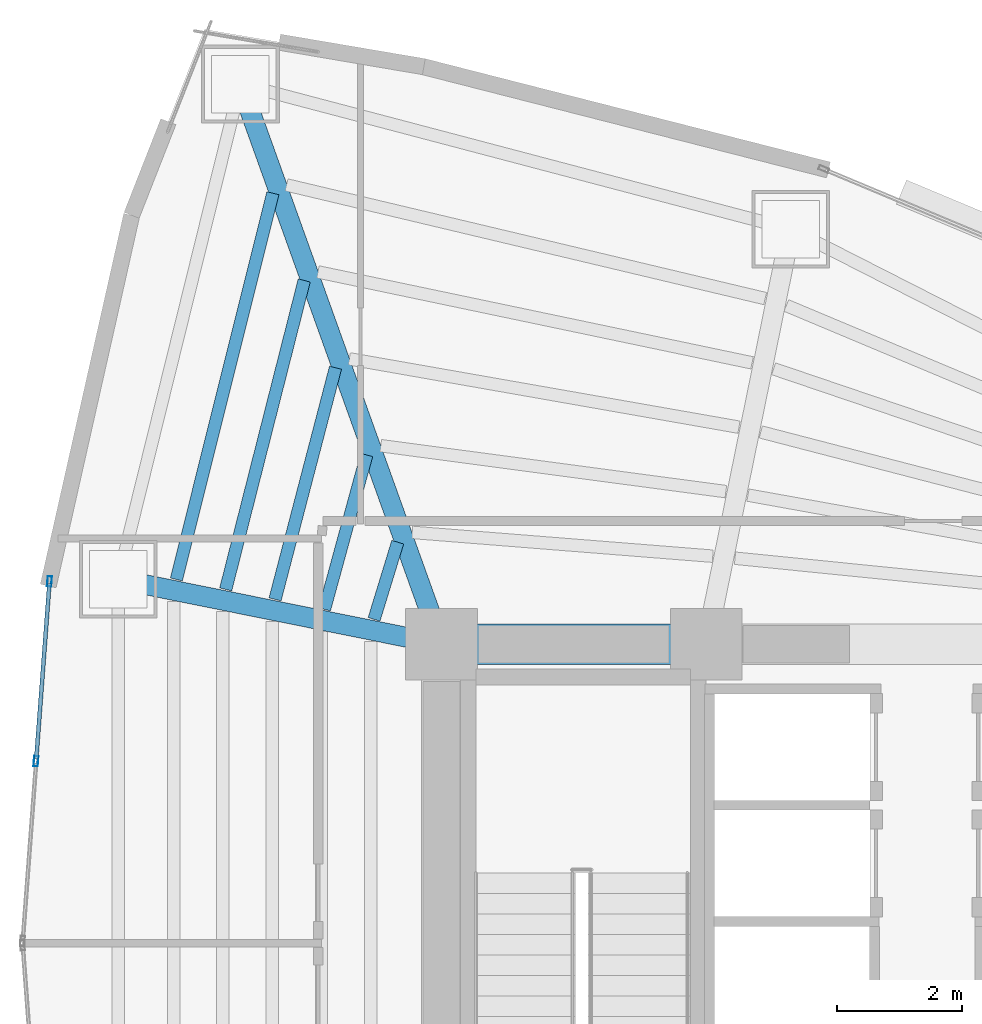
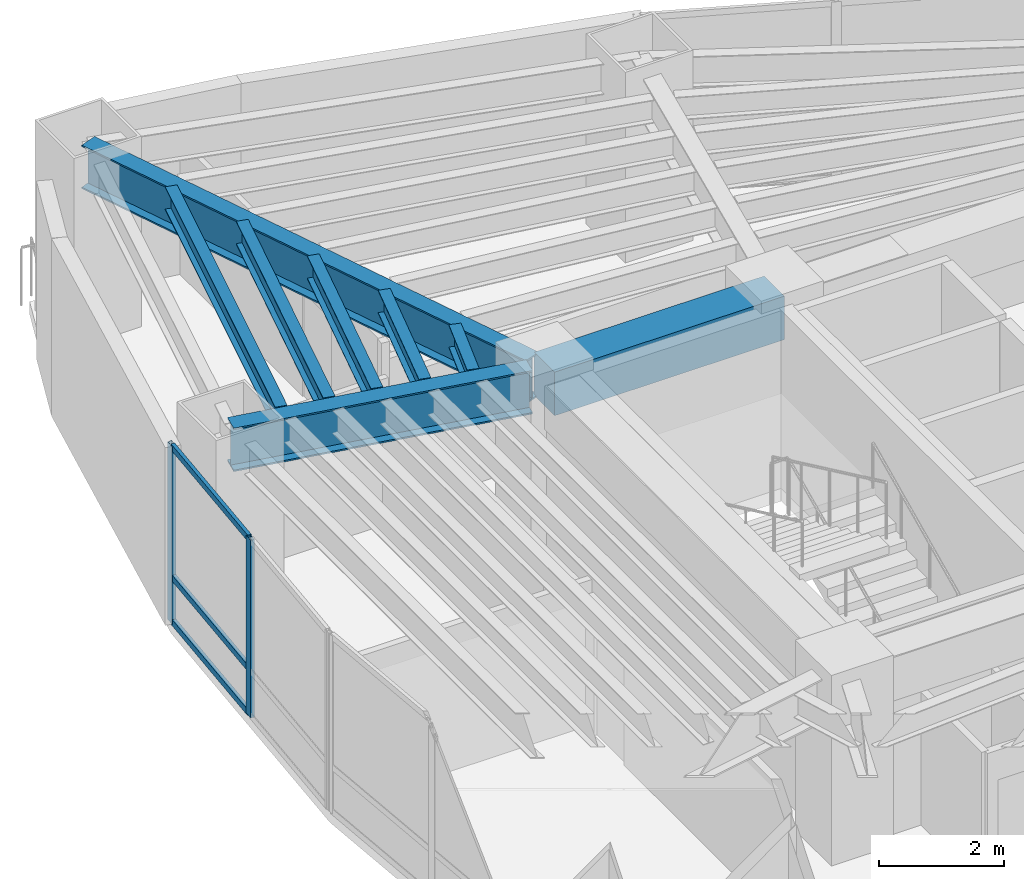
# One storey, part 7 of 16: 8 beams, 5 members, 1 element without a shape of its own.
"""IFC4 building model written with IfcOpenShell, lengths in metres."""

from ifc_helpers import new_model, si_unit, direction, frame, origin, origin_2d, place, context, subcontext, project, spatial, rectangle, hollow_rectangle, i_section, extrude, material, layer, layer_set, material_profile, profile_set, type_object, element, aggregate, save


model = new_model("IFC4")

# Units and contexts
model_context = context("Model", 3, precision=1e-05, world=origin(), true_north=direction((0.0, 1.0)))
body_context = subcontext(model_context, "Body", "Model", "MODEL_VIEW")
ifc_project = project(units=[si_unit("LENGTHUNIT", "METRE"), si_unit("AREAUNIT", "SQUARE_METRE"), si_unit("VOLUMEUNIT", "CUBIC_METRE"), si_unit("PLANEANGLEUNIT", "RADIAN"), si_unit("MASSUNIT", "GRAM", prefix="KILO")], contexts=[model_context])

# Site, building, storey
site_placement = place(None, origin())
site = spatial("IfcSite", under=ifc_project, at=site_placement, CompositionType="ELEMENT")
building_placement = place(site_placement, origin())
building = spatial("IfcBuilding", under=site, at=building_placement, Name="Menara Vayukalpa", CompositionType="ELEMENT")
storey_placement = place(building_placement, frame((0.0, 0.0, 72.239990234375)))
storey = spatial("IfcBuildingStorey", under=building, at=storey_placement, Name="L17", CompositionType="ELEMENT", Elevation=72.239990234375)

# Beams
ifc_material_1 = material(Name="Concrete C60/75", Category="concrete")
ifc_material_profile_1 = material_profile(ifc_material_1, rectangle(XDim=0.64990234375, YDim=0.85009765625, at=origin_2d()), Name="RC 650x850")
ifc_profile_set_1 = profile_set([ifc_material_profile_1], Name="Concrete C60/75")
beam_type_1 = type_object("IfcBeamType", Name="BM-CB1", PredefinedType="BEAM", material=ifc_profile_set_1)
beam_1_placement = place(storey_placement, frame((17.800048828125, 26.800048828125, 3.044921875), z_axis=(1.0, 0.0, 0.0), x_axis=(0.0, 1.0, 0.0)))
element("IfcBeam", 1, at=beam_1_placement, inside=storey, type_object=beam_type_1, Name="L17 Core Tie Beam CBR4", PredefinedType="BEAM", context=body_context, shape_type="SweptSolid", body=[
    extrude(rectangle(XDim=0.64990234375, YDim=0.85009765625, at=origin_2d()), origin(), (0.0, 0.0, 1.0), 4.25),
])
ifc_material_2 = material(Name="Steel S355", Category="steel")
ifc_material_profile_2 = material_profile(ifc_material_2, i_section(OverallWidth=0.320068359375, OverallDepth=0.85009765625, WebThickness=0.01611328125, FlangeThickness=0.030029296875, at=origin_2d()), Name="WF 850x320x16x30")
ifc_profile_set_2 = profile_set([ifc_material_profile_2], Name="Steel S355")
beam_type_2 = type_object("IfcBeamType", Name="BM-PG2", PredefinedType="BEAM", material=ifc_profile_set_2)
beam_2_placement = place(storey_placement, frame((17.715576171875, 27.035400390625, 3.044921875), z_axis=(-0.337975542909, 0.941154892882, 0.0), x_axis=(-0.941154892882, -0.337975542909, 0.0)))
element("IfcBeam", 2, at=beam_2_placement, inside=storey, type_object=beam_type_2, Name="L17 Primary Radial Girder RG04", PredefinedType="BEAM", context=body_context, shape_type="SweptSolid", body=[
    extrude(i_section(OverallWidth=0.320068359375, OverallDepth=0.85009765625, WebThickness=0.01611328125, FlangeThickness=0.030029296875, at=origin_2d()), origin(), (0.0, 0.0, 1.0), 9.309814453125),
])
beam_3_placement = place(storey_placement, frame((17.554931640625, 26.849365234375, 3.044921875), z_axis=(-0.980324984906, 0.197390283373, 0.0), x_axis=(-0.197390283373, -0.980324984906, 0.0)))
element("IfcBeam", 3, at=beam_3_placement, inside=storey, type_object=beam_type_2, Name="L17 Primary Radial Girder RG05", PredefinedType="BEAM", context=body_context, shape_type="SweptSolid", body=[
    extrude(i_section(OverallWidth=0.320068359375, OverallDepth=0.85009765625, WebThickness=0.01611328125, FlangeThickness=0.030029296875, at=origin_2d()), origin(), (0.0, 0.0, 1.0), 5.047607421875),
])
ifc_material_3 = material(Name="Steel S355", Category="steel")
ifc_material_profile_3 = material_profile(ifc_material_3, i_section(OverallWidth=0.199951171875, OverallDepth=0.449951171875, WebThickness=0.009033203125, FlangeThickness=0.013916015625, at=origin_2d()), Name="WF 450x200x9x14")
ifc_profile_set_3 = profile_set([ifc_material_profile_3], Name="Steel S355")
beam_type_3 = type_object("IfcBeamType", Name="BM-SJ1", PredefinedType="JOIST", material=ifc_profile_set_3)
beam_4_placement = place(storey_placement, frame((17.096435546875, 28.4404296875, 3.2451171875), z_axis=(-0.292802109412, -0.95617306212, 0.0), x_axis=(0.95617306212, -0.292802109412, 0.0)))
element("IfcBeam", 4, at=beam_4_placement, inside=storey, type_object=beam_type_3, Name="L17 Secondary Floor Joist SJ04-1", PredefinedType="JOIST", context=body_context, shape_type="SweptSolid", body=[
    extrude(i_section(OverallWidth=0.199951171875, OverallDepth=0.449951171875, WebThickness=0.009033203125, FlangeThickness=0.013916015625, at=origin_2d()), origin(), (0.0, 0.0, 1.0), 1.296630859375),
])
beam_5_placement = place(storey_placement, frame((16.59814453125, 29.8408203125, 3.2451171875), z_axis=(-0.263888952397, -0.964553067904, 0.0), x_axis=(0.964553067904, -0.263888952397, 0.0)))
element("IfcBeam", 5, at=beam_5_placement, inside=storey, type_object=beam_type_3, Name="L17 Secondary Floor Joist SJ04-2", PredefinedType="JOIST", context=body_context, shape_type="SweptSolid", body=[
    extrude(i_section(OverallWidth=0.199951171875, OverallDepth=0.449951171875, WebThickness=0.009033203125, FlangeThickness=0.013916015625, at=origin_2d()), origin(), (0.0, 0.0, 1.0), 2.570068359375),
])
beam_6_placement = place(storey_placement, frame((16.096923828125, 31.2421875, 3.2451171875), z_axis=(-0.252458083783, -0.967607831682, 0.0), x_axis=(0.967607831682, -0.252458083783, 0.0)))
element("IfcBeam", 6, at=beam_6_placement, inside=storey, type_object=beam_type_3, Name="L17 Secondary Floor Joist SJ04-3", PredefinedType="JOIST", context=body_context, shape_type="SweptSolid", body=[
    extrude(i_section(OverallWidth=0.199951171875, OverallDepth=0.449951171875, WebThickness=0.009033203125, FlangeThickness=0.013916015625, at=origin_2d()), origin(), (0.0, 0.0, 1.0), 3.844970703125),
])
beam_7_placement = place(storey_placement, frame((15.594482421875, 32.643798828125, 3.2451171875), z_axis=(-0.246281114503, -0.969198438215, 0.0), x_axis=(0.969198438215, -0.246281114503, 0.0)))
element("IfcBeam", 7, at=beam_7_placement, inside=storey, type_object=beam_type_3, Name="L17 Secondary Floor Joist SJ04-4", PredefinedType="JOIST", context=body_context, shape_type="SweptSolid", body=[
    extrude(i_section(OverallWidth=0.199951171875, OverallDepth=0.449951171875, WebThickness=0.009033203125, FlangeThickness=0.013916015625, at=origin_2d()), origin(), (0.0, 0.0, 1.0), 5.1201171875),
])
beam_8_placement = place(storey_placement, frame((15.091796875, 34.045654296875, 3.2451171875), z_axis=(-0.242481731849, -0.970155971852, 0.0), x_axis=(0.970155971852, -0.242481731849, 0.0)))
element("IfcBeam", 8, at=beam_8_placement, inside=storey, type_object=beam_type_3, Name="L17 Secondary Floor Joist SJ04-5", PredefinedType="JOIST", context=body_context, shape_type="SweptSolid", body=[
    extrude(i_section(OverallWidth=0.199951171875, OverallDepth=0.449951171875, WebThickness=0.009033203125, FlangeThickness=0.013916015625, at=origin_2d()), origin(), (0.0, 0.0, 1.0), 6.3955078125),
])

# Curtain wall, members
ifc_material_4 = material(Name="Anodised Terracotta Aluminium Alloy 6063-T6", Category="masonry")
ifc_layer = layer(ifc_material_4, 0.1650390625)
ifc_layer_set = layer_set([ifc_layer], Name="Anodised Terracotta Aluminium Alloy 6063-T6")
curtain_wall_type = type_object("IfcCurtainWallType", Name="CW-CW2", PredefinedType="USERDEFINED", material=ifc_layer_set)
curtain_wall_placement = place(storey_placement, origin())
curtain_wall = element("IfcCurtainWall", 9, at=curtain_wall_placement, inside=storey, type_object=curtain_wall_type, Name="L17 Low Rise Terracotta Ribbon Curtain Wall CW2 10", ObjectType="UNITISED", PredefinedType="USERDEFINED")
ifc_material_5 = material(Name="Anodised Terracotta Aluminium Alloy 6063-T6", Category="masonry")
ifc_material_profile_4 = material_profile(ifc_material_5, hollow_rectangle(XDim=0.070068359375, YDim=0.1650390625, WallThickness=0.00390625, at=origin_2d()), Name="ALU 70x165x4")
ifc_profile_set_4 = profile_set([ifc_material_profile_4], Name="Anodised Terracotta Aluminium Alloy 6063-T6")
member_type_1 = type_object("IfcMemberType", Name="CWM-CW2", PredefinedType="MULLION", material=ifc_profile_set_4)
member_1_placement = place(storey_placement, frame((11.50390625, 27.810791015625, 0.0), z_axis=(0.0, 0.0, 1.0), x_axis=(0.997199659745, -0.07478528334, 0.0)))
member_1 = element("IfcMember", 10, at=member_1_placement, type_object=member_type_1, Name="CW2 mullion 1", PredefinedType="MULLION", context=body_context, shape_type="SweptSolid", body=[
    extrude(hollow_rectangle(XDim=0.070068359375, YDim=0.1650390625, WallThickness=0.00390625, at=origin_2d()), origin(), (0.0, 0.0, 1.0), 3.469970703125),
])
member_2_placement = place(storey_placement, frame((11.287353515625, 24.9228515625, 0.0), z_axis=(0.0, 0.0, 1.0), x_axis=(0.997199659745, -0.07478528334, 0.0)))
member_2 = element("IfcMember", 11, at=member_2_placement, type_object=member_type_1, Name="CW2 mullion 2", PredefinedType="MULLION", context=body_context, shape_type="SweptSolid", body=[
    extrude(hollow_rectangle(XDim=0.070068359375, YDim=0.1650390625, WallThickness=0.00390625, at=origin_2d()), origin(), (0.0, 0.0, 1.0), 3.469970703125),
])
ifc_material_6 = material(Name="Anodised Terracotta Aluminium Alloy 6063-T6", Category="masonry")
ifc_material_profile_5 = material_profile(ifc_material_6, hollow_rectangle(XDim=0.06494140625, YDim=0.1201171875, WallThickness=0.00341796875, at=origin_2d()), Name="ALU 65x120x3.5")
ifc_profile_set_5 = profile_set([ifc_material_profile_5], Name="Anodised Terracotta Aluminium Alloy 6063-T6")
member_type_2 = type_object("IfcMemberType", Name="CWT-CW2", PredefinedType="USERDEFINED", material=ifc_profile_set_5)
member_3_placement = place(storey_placement, frame((11.50146484375, 27.77587890625, 0.032470703125), z_axis=(-0.074813572531, -0.997197537785, 0.0), x_axis=(0.997197537785, -0.074813572531, 0.0)))
member_3 = element("IfcMember", 12, at=member_3_placement, type_object=member_type_2, Name="CW2 transom 1.1", ObjectType="TRANSOM", PredefinedType="USERDEFINED", context=body_context, shape_type="SweptSolid", body=[
    extrude(hollow_rectangle(XDim=0.06494140625, YDim=0.1201171875, WallThickness=0.00341796875, at=origin_2d()), origin(), (0.0, 0.0, 1.0), 2.825927734375),
])
member_4_placement = place(storey_placement, frame((11.50146484375, 27.77587890625, 0.89990234375), z_axis=(-0.074813572531, -0.997197537785, 0.0), x_axis=(0.997197537785, -0.074813572531, 0.0)))
member_4 = element("IfcMember", 13, at=member_4_placement, type_object=member_type_2, Name="CW2 transom 1.2", ObjectType="TRANSOM", PredefinedType="USERDEFINED", context=body_context, shape_type="SweptSolid", body=[
    extrude(hollow_rectangle(XDim=0.06494140625, YDim=0.1201171875, WallThickness=0.00341796875, at=origin_2d()), origin(), (0.0, 0.0, 1.0), 2.825927734375),
])
member_5_placement = place(storey_placement, frame((11.50146484375, 27.77587890625, 3.4375), z_axis=(-0.074813572531, -0.997197537785, 0.0), x_axis=(0.997197537785, -0.074813572531, 0.0)))
member_5 = element("IfcMember", 14, at=member_5_placement, type_object=member_type_2, Name="CW2 transom 1.3", ObjectType="TRANSOM", PredefinedType="USERDEFINED", context=body_context, shape_type="SweptSolid", body=[
    extrude(hollow_rectangle(XDim=0.06494140625, YDim=0.1201171875, WallThickness=0.00341796875, at=origin_2d()), origin(), (0.0, 0.0, 1.0), 2.825927734375),
])
aggregate(curtain_wall, [member_1, member_2, member_3, member_4, member_5])

save(model, "model.ifc")
